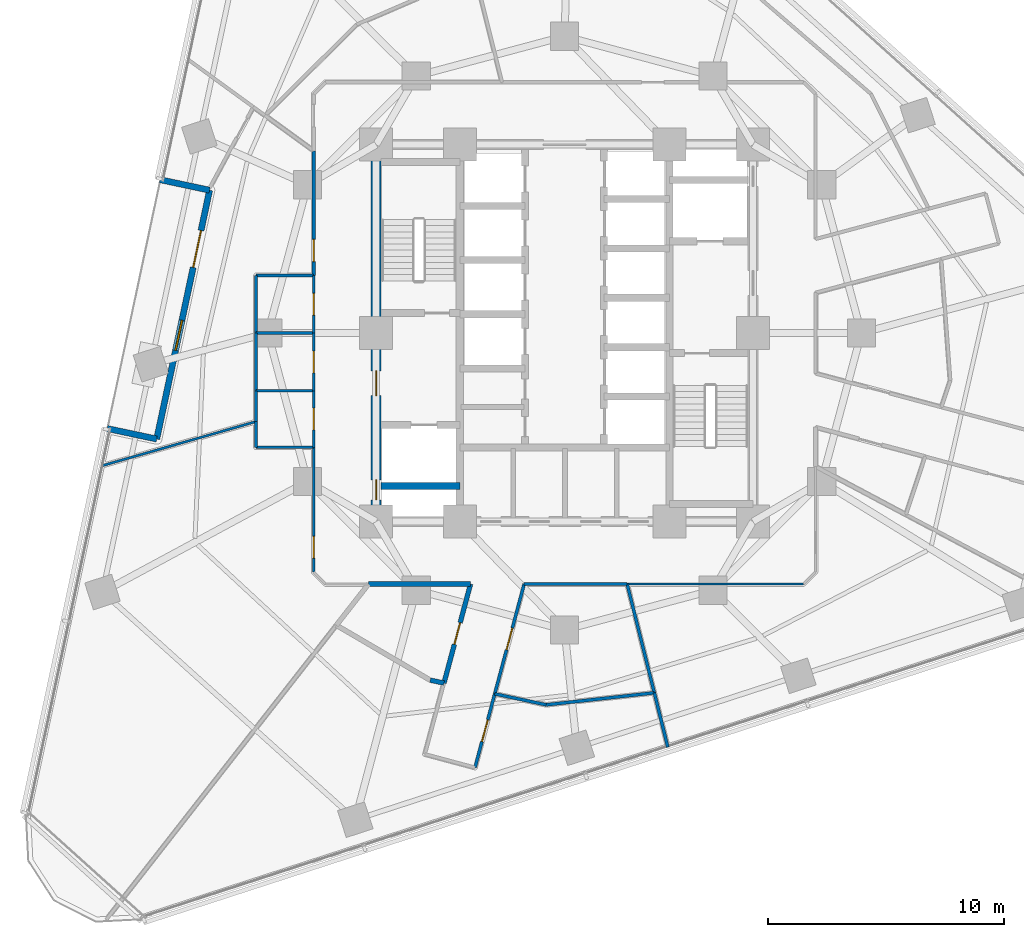
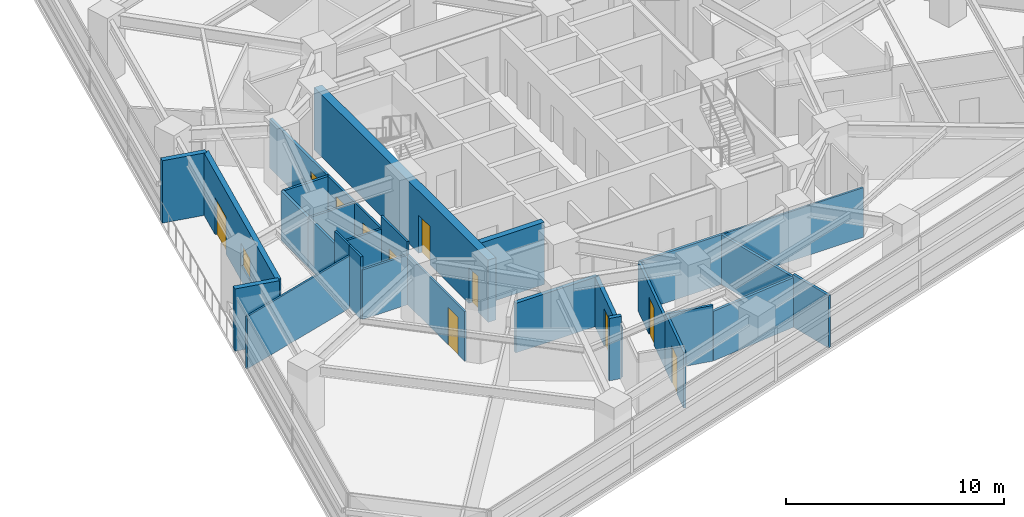
# One storey, part 7 of 14: 30 walls, 11 doors, 1 window, 12 openings.
"""IFC4 building model written with IfcOpenShell, lengths in metres."""

import ifcopenshell
import ifcopenshell.guid

model = None  # the IFC model being written
_history = None  # IfcOwnerHistory: only IFC2X3 demands one
_inside = {}  # id of a spatial element -> (the spatial element, [elements in it])
_under = {}  # id of a project, library or spatial element -> (it, [spatial elements below it])
_declared = {}  # id of a project -> (the project, [libraries it declares])
_typed = {}  # id of a type object -> (the type object, [elements of that type])
_made_of = {}  # id of a material, layer set ... -> (it, [elements and type objects made of it])


def new_model(schema):
    """Start an empty IFC model of exactly this schema.

    Asked for "IFC4X3", IfcOpenShell would pick the latest addendum, in which some entities
    have other attributes; the version numbers below select the first issue.
    IFC2X3 requires an IfcOwnerHistory on every rooted entity: one is made here for all.
    """
    global model, _history
    if schema == "IFC4X3":
        model = ifcopenshell.file(schema_version=(4, 3, 0, 0))
    else:
        model = ifcopenshell.file(schema=schema)
    _inside.clear()
    _under.clear()
    _declared.clear()
    _typed.clear()
    _made_of.clear()
    _history = None
    if model.schema == "IFC2X3":
        org = make("IfcOrganization", Name="unknown")
        user = make(
            "IfcPersonAndOrganization",
            ThePerson=make("IfcPerson", FamilyName="unknown"),
            TheOrganization=org,
        )
        app = make(
            "IfcApplication",
            ApplicationDeveloper=org,
            Version="unknown",
            ApplicationFullName="unknown",
            ApplicationIdentifier="unknown",
        )
        _history = make(
            "IfcOwnerHistory",
            OwningUser=user,
            OwningApplication=app,
            ChangeAction="ADDED",
            CreationDate=0,
        )
    return model


def make(cls, **values):
    """One entity of the class cls with the attributes given. An attribute that is None is left unset."""
    return model.create_entity(
        cls, **{name: value for name, value in values.items() if value is not None}
    )


def rooted(cls, **values):
    """An entity with a GlobalId (a new one), such as an element, a storey or a relation."""
    return make(cls, GlobalId=ifcopenshell.guid.new(), OwnerHistory=_history, **values)


def si_unit(unit_type, name, prefix=None):
    """IfcSIUnit, for example si_unit("LENGTHUNIT", "METRE", prefix="MILLI")."""
    return make("IfcSIUnit", UnitType=unit_type, Prefix=prefix, Name=name)


def assignment(units):
    """IfcUnitAssignment: the units of a project."""
    return None if units is None else make("IfcUnitAssignment", Units=units)


def point(xyz):
    """IfcCartesianPoint."""
    return None if xyz is None else make("IfcCartesianPoint", Coordinates=xyz)


def direction(xyz):
    """IfcDirection."""
    return None if xyz is None else make("IfcDirection", DirectionRatios=xyz)


def frame(location, z_axis=None, x_axis=None):
    """IfcAxis2Placement3D, a coordinate frame: its origin and axes. An axis left out is left unset."""
    return make(
        "IfcAxis2Placement3D",
        Location=point(location),
        Axis=direction(z_axis),
        RefDirection=direction(x_axis),
    )


def frame_2d(location, x_axis=None):
    """IfcAxis2Placement2D, a coordinate frame in the plane: its origin and x axis."""
    return make(
        "IfcAxis2Placement2D", Location=point(location), RefDirection=direction(x_axis)
    )


def origin():
    """The frame at (0, 0, 0) with its axes left unset."""
    return frame((0.0, 0.0, 0.0))


def place(relative_to, where):
    """IfcLocalPlacement: puts the frame where relative to a parent placement (None: the world)."""
    return make(
        "IfcLocalPlacement", PlacementRelTo=relative_to, RelativePlacement=where
    )


def context(
    kind, dimensions, precision=None, world=None, true_north=None, identifier=None
):
    """IfcGeometricRepresentationContext, for example the 3D "Model" context."""
    return make(
        "IfcGeometricRepresentationContext",
        ContextIdentifier=identifier,
        ContextType=kind,
        CoordinateSpaceDimension=dimensions,
        Precision=precision,
        WorldCoordinateSystem=world,
        TrueNorth=true_north,
    )


def subcontext(parent, identifier, kind, view, scale=None):
    """IfcGeometricRepresentationSubContext, for example "Body" below "Model"."""
    return make(
        "IfcGeometricRepresentationSubContext",
        ContextIdentifier=identifier,
        ContextType=kind,
        ParentContext=parent,
        TargetScale=scale,
        TargetView=view,
    )


def project(units=None, contexts=None):
    """IfcProject with its units and contexts."""
    return rooted(
        "IfcProject",
        Name="project",
        RepresentationContexts=contexts,
        UnitsInContext=assignment(units),
    )


def spatial(cls, under=None, at=None, **own):
    """A site, building, storey or space (cls), placed at a placement, below another one or the project."""
    s = rooted(cls, ObjectPlacement=at, **own)
    if under is not None:
        _under.setdefault(under.id(), (under, []))[1].append(s)
    return s


def profile(cls, at=None, kind="AREA", **sizes):
    """A parametric profile (cls). Its sizes go by their IFC names, for example OverallWidth=200.0."""
    return make(cls, ProfileType=kind, Position=at, **sizes)


def rectangle(**sizes):
    """IfcRectangleProfileDef."""
    return profile("IfcRectangleProfileDef", **sizes)


def extrude(swept, where, along, depth):
    """IfcExtrudedAreaSolid: the profile swept, set in the frame where, extruded along a direction by depth."""
    return make(
        "IfcExtrudedAreaSolid",
        SweptArea=swept,
        Position=where,
        ExtrudedDirection=direction(along),
        Depth=depth,
    )


def shape(context_of_items, identifier, shape_type, items):
    """IfcShapeRepresentation: the items that make up one representation, for example the "Body"."""
    return make(
        "IfcShapeRepresentation",
        ContextOfItems=context_of_items,
        RepresentationIdentifier=identifier,
        RepresentationType=shape_type,
        Items=items,
    )


def material(Name=None, Category=None):
    """IfcMaterial."""
    return make("IfcMaterial", Name=Name, Category=Category)


def layer(
    of_material, thickness, ventilated=None, Name=None, Category=None, Priority=None
):
    """IfcMaterialLayer: one layer of a wall or slab, of a material (None: an air gap)."""
    return make(
        "IfcMaterialLayer",
        Material=of_material,
        LayerThickness=thickness,
        IsVentilated=ventilated,
        Name=Name,
        Category=Category,
        Priority=Priority,
    )


def layer_set(layers, Name=None):
    """IfcMaterialLayerSet."""
    return make("IfcMaterialLayerSet", MaterialLayers=layers, LayerSetName=Name)


def made_of(thing, what):
    """Note that an element or type object is made of a material, layer set ...; save() writes the relation."""
    if what is not None:
        _made_of.setdefault(what.id(), (what, []))[1].append(thing)
    return thing


def type_object(cls, material=None, **own):
    """A type object (cls), such as IfcWallType, which elements share."""
    return made_of(rooted(cls, **own), material)


def element(
    cls,
    number,
    at=None,
    inside=None,
    cuts=None,
    type_object=None,
    material=None,
    context=None,
    identifier="Body",
    shape_type=None,
    held_by="IfcProductDefinitionShape",
    body=None,
    shapes=None,
    **own,
):
    """One element of the class cls, such as IfcWall. Its Tag is "e" and its number.

    at: its placement. inside: the storey or other place that contains it. cuts: it is an
    opening in that element (IfcRelVoidsElement). A single representation is given by context,
    identifier, shape_type and body (its items); several are given by shapes. held_by: the class
    of the entity that holds the representations. save() writes the other relations.
    """
    e = rooted(cls, Tag="e%d" % number, ObjectPlacement=at, **own)
    if body is not None:
        shapes = [shape(context, identifier, shape_type, body)]
    if shapes is not None:
        e.Representation = make(held_by, Representations=shapes)
    if inside is not None:
        _inside.setdefault(inside.id(), (inside, []))[1].append(e)
    if cuts is not None:
        rooted(
            "IfcRelVoidsElement", RelatingBuildingElement=cuts, RelatedOpeningElement=e
        )
    if type_object is not None:
        _typed.setdefault(type_object.id(), (type_object, []))[1].append(e)
    return made_of(e, material)


def fill(opening, filler):
    """IfcRelFillsElement: the door or window that sits in an opening."""
    return rooted(
        "IfcRelFillsElement",
        RelatingOpeningElement=opening,
        RelatedBuildingElement=filler,
    )


def aggregate(whole, parts):
    """IfcRelAggregates: a whole, such as a stair, and the parts it consists of."""
    return rooted("IfcRelAggregates", RelatingObject=whole, RelatedObjects=parts)


def save(model, path):
    """Write the relations noted so far, then the file.

    IfcRelAggregates (storeys below a building ...), IfcRelContainedInSpatialStructure (elements
    in a storey), IfcRelDefinesByType, IfcRelAssociatesMaterial and IfcRelDeclares: one each for
    every whole, place, type object, material and project.
    """
    for whole, parts in _under.values():
        aggregate(whole, parts)
    for where, things in _inside.values():
        rooted(
            "IfcRelContainedInSpatialStructure",
            RelatedElements=things,
            RelatingStructure=where,
        )
    for kind, things in _typed.values():
        rooted("IfcRelDefinesByType", RelatedObjects=things, RelatingType=kind)
    for what, things in _made_of.values():
        rooted("IfcRelAssociatesMaterial", RelatedObjects=things, RelatingMaterial=what)
    for by, libraries in _declared.values():
        rooted("IfcRelDeclares", RelatingContext=by, RelatedDefinitions=libraries)
    model.write(path)


model = new_model("IFC4")

# Units and contexts
model_context = context("Model", 3, precision=1e-05, world=origin(), true_north=direction((0.0, 1.0)))
body_context = subcontext(model_context, "Body", "Model", "MODEL_VIEW")
ifc_project = project(units=[si_unit("LENGTHUNIT", "METRE"), si_unit("AREAUNIT", "SQUARE_METRE"), si_unit("VOLUMEUNIT", "CUBIC_METRE"), si_unit("PLANEANGLEUNIT", "RADIAN"), si_unit("MASSUNIT", "GRAM", prefix="KILO")], contexts=[model_context])

# Site, building, storey
site_placement = place(None, origin())
site = spatial("IfcSite", under=ifc_project, at=site_placement, CompositionType="ELEMENT")
building_placement = place(site_placement, origin())
building = spatial("IfcBuilding", under=site, at=building_placement, Name="Terralouvre Media Tower", CompositionType="ELEMENT")
storey_placement = place(building_placement, frame((0.0, 0.0, 112.5)))
storey = spatial("IfcBuildingStorey", under=building, at=storey_placement, Name="L28", CompositionType="ELEMENT", Elevation=112.5)

# Wall
ifc_material_1 = material(Name="Concrete C50/60", Category="concrete")
ifc_layer_1 = layer(ifc_material_1, 0.300048828125, Name="Core Internal Shaft Wall CW-300")
ifc_layer_set_1 = layer_set([ifc_layer_1], Name="Concrete C50/60")
wall_type_1 = type_object("IfcWallType", Name="Core Internal Shaft Wall CW-300", PredefinedType="SHEAR", material=ifc_layer_set_1)
wall_1_placement = place(storey_placement, frame((-7.7900390625, -6.5, 0.0), z_axis=(0.0, 0.0, 1.0), x_axis=(1.0, 0.0, 0.0)))
element("IfcWall", 1, at=wall_1_placement, inside=storey, type_object=wall_type_1, Name="L28 Core Shaft Wall FF1S", PredefinedType="SHEAR", context=body_context, shape_type="SweptSolid", body=[
    extrude(rectangle(XDim=3.340087890625, YDim=0.300048828125, at=frame_2d((1.669921875, 0.0))), origin(), (0.0, 0.0, 1.0), 3.5),
])

# Wall, openings, doors
ifc_material_2 = material(Name="Concrete C60/75", Category="concrete")
ifc_layer_2 = layer(ifc_material_2, 0.419921875, Name="Core Reinforced Concrete Shear Wall CW-420")
ifc_layer_set_2 = layer_set([ifc_layer_2], Name="Concrete C60/75")
wall_type_2 = type_object("IfcWallType", Name="Core Reinforced Concrete Shear Wall CW-420", PredefinedType="SHEAR", material=ifc_layer_set_2)
wall_2_placement = place(storey_placement, frame((-8.0, -8.0, 0.0), z_axis=(0.0, 0.0, 1.0), x_axis=(0.0, 1.0, 0.0)))
wall_2 = element("IfcWall", 2, at=wall_2_placement, inside=storey, type_object=wall_type_2, Name="L28 W Core Shear Wall", PredefinedType="SHEAR", context=body_context, shape_type="SweptSolid", body=[
    extrude(rectangle(XDim=16.0, YDim=0.419921875, at=frame_2d((8.0, 0.0))), origin(), (0.0, 0.0, 1.0), 3.5),
])
opening_1_placement = place(wall_2_placement, frame((0.921630859375, 0.0, 0.0)))
opening_1 = element("IfcOpeningElement", 3, at=opening_1_placement, cuts=wall_2, Name="Opening TD-R1", PredefinedType="OPENING", context=body_context, shape_type="SweptSolid", body=[
    extrude(rectangle(XDim=0.85009765625, YDim=2.02001953125, at=frame_2d((0.425048828125, 1.010009765625))), frame((0.0, 0.219970703125, 0.0), z_axis=(0.0, -1.0, 0.0), x_axis=(1.0, 0.0, 0.0)), (0.0, 0.0, 1.0), 0.43994140625),
])
opening_2_placement = place(wall_2_placement, frame((5.35009765625, 0.0, 0.0)))
opening_2 = element("IfcOpeningElement", 4, at=opening_2_placement, cuts=wall_2, Name="Opening FD-01-105X215", PredefinedType="OPENING", context=body_context, shape_type="SweptSolid", body=[
    extrude(rectangle(XDim=1.050048828125, YDim=2.14990234375, at=frame_2d((0.52490234375, 1.074951171875))), frame((0.0, 0.219970703125, 0.0), z_axis=(0.0, -1.0, 0.0), x_axis=(1.0, 0.0, 0.0)), (0.0, 0.0, 1.0), 0.43994140625),
])
ifc_material_3 = material(Name="Galvanised steel fire-resisting leaf", Category="steel")
door_type_1 = type_object("IfcDoorType", Name="Riser Inspection Access Trapdoor TD-R1", OperationType="NOTDEFINED", PredefinedType="TRAPDOOR", material=ifc_material_3)
door_1_placement = place(opening_1_placement, origin())
door_1 = element("IfcDoor", 5, at=door_1_placement, inside=storey, type_object=door_type_1, Name="L28 Wet Riser Access Trapdoor", OperationType="SINGLE_SWING_LEFT", OverallHeight=2.02001953125, OverallWidth=0.85009765625, PredefinedType="TRAPDOOR", context=body_context, shape_type="SweptSolid", body=[
    extrude(rectangle(XDim=0.85009765625, YDim=2.02001953125, at=frame_2d((0.425048828125, 1.010009765625))), frame((0.0, 0.02490234375, 0.0), z_axis=(0.0, -1.0, 0.0), x_axis=(1.0, 0.0, 0.0)), (0.0, 0.0, 1.0), 0.050048828125),
])
fill(opening_1, door_1)
ifc_material_4 = material(Name="Galvanised steel fire-resisting leaf", Category="steel")
door_type_2 = type_object("IfcDoorType", Name="Stair and Firefighting Lobby Fire Door FD-01 (1050x2150)", OperationType="NOTDEFINED", PredefinedType="DOOR", material=ifc_material_4)
door_2_placement = place(opening_2_placement, origin())
door_2 = element("IfcDoor", 6, at=door_2_placement, inside=storey, type_object=door_type_2, Name="L28 West Firefighting Lobby Entry Door", OperationType="SINGLE_SWING_RIGHT", OverallHeight=2.14990234375, OverallWidth=1.050048828125, PredefinedType="DOOR", context=body_context, shape_type="SweptSolid", body=[
    extrude(rectangle(XDim=1.050048828125, YDim=2.14990234375, at=frame_2d((0.52490234375, 1.074951171875))), frame((0.0, 0.02490234375, 0.0), z_axis=(0.0, -1.0, 0.0), x_axis=(1.0, 0.0, 0.0)), (0.0, 0.0, 1.0), 0.050048828125),
])
fill(opening_2, door_2)

# Wall, opening, door
ifc_material_5 = material(Name="Low-iron laminated double glazing with solar-control coating", Category="glass")
ifc_layer_3 = layer(ifc_material_5, 0.10009765625, Name="Demountable Glazed Office Partition PT-GL100")
ifc_layer_set_3 = layer_set([ifc_layer_3], Name="Low-iron laminated double glazing with solar-control coating")
wall_type_3 = type_object("IfcWallType", Name="Demountable Glazed Office Partition PT-GL100", PredefinedType="MOVABLE", material=ifc_layer_set_3)
wall_3_placement = place(storey_placement, frame((-10.64990234375, -4.85009765625, 0.0), z_axis=(0.0, 0.0, 1.0), x_axis=(0.0, -1.0, 0.0)))
wall_3 = element("IfcWall", 7, at=wall_3_placement, inside=storey, type_object=wall_type_3, Name="L28 Interior Partition 025", PredefinedType="MOVABLE", context=body_context, shape_type="SweptSolid", body=[
    extrude(rectangle(XDim=5.2998046875, YDim=0.10009765625, at=frame_2d((2.64990234375, 0.0))), origin(), (0.0, 0.0, 1.0), 2.784912109375),
])
opening_3_placement = place(wall_3_placement, frame((3.780029296875, 0.0, 0.0)))
opening_3 = element("IfcOpeningElement", 8, at=opening_3_placement, cuts=wall_3, Name="Opening ID-03-92X210", PredefinedType="OPENING", context=body_context, shape_type="SweptSolid", body=[
    extrude(rectangle(XDim=0.919921875, YDim=2.10009765625, at=frame_2d((0.4599609375, 1.050048828125))), frame((0.0, 0.06005859375, 0.0), z_axis=(0.0, -1.0, 0.0), x_axis=(1.0, 0.0, 0.0)), (0.0, 0.0, 1.0), 0.1201171875),
])
ifc_material_6 = material(Name="Engineered hardwood acoustic timber leaf", Category="wood")
door_type_3 = type_object("IfcDoorType", Name="Accessible Restroom and Suite Door ID-03 (920x2100)", OperationType="NOTDEFINED", PredefinedType="DOOR", material=ifc_material_6)
door_3_placement = place(opening_3_placement, origin())
door_3 = element("IfcDoor", 9, at=door_3_placement, inside=storey, type_object=door_type_3, Name="L28 Broadcast Standards Conference Room 8 Door", OperationType="SINGLE_SWING_LEFT", OverallHeight=2.10009765625, OverallWidth=0.919921875, PredefinedType="DOOR", context=body_context, shape_type="SweptSolid", body=[
    extrude(rectangle(XDim=0.919921875, YDim=2.10009765625, at=frame_2d((0.4599609375, 1.050048828125))), frame((0.0, 0.02490234375, 0.0), z_axis=(0.0, -1.0, 0.0), x_axis=(1.0, 0.0, 0.0)), (0.0, 0.0, 1.0), 0.050048828125),
])
fill(opening_3, door_3)

# Walls
wall_4_placement = place(storey_placement, frame((2.655029296875, -10.64990234375, 0.0), z_axis=(0.0, 0.0, 1.0), x_axis=(1.0, 0.0, 0.0)))
element("IfcWall", 10, at=wall_4_placement, inside=storey, type_object=wall_type_3, Name="L28 Interior Partition 028", PredefinedType="MOVABLE", context=body_context, shape_type="SweptSolid", body=[
    extrude(rectangle(XDim=7.494873046875, YDim=0.10009765625, at=frame_2d((3.74755859375, 0.0))), origin(), (0.0, 0.0, 1.0), 2.784912109375),
])
wall_5_placement = place(storey_placement, frame((-13.10009765625, -3.756103515625, 0.0), z_axis=(0.0, 0.0, 1.0), x_axis=(-0.961255453737, -0.275659124029, 0.0)))
element("IfcWall", 11, at=wall_5_placement, inside=storey, type_object=wall_type_3, Name="L28 Interior Partition 062", PredefinedType="MOVABLE", context=body_context, shape_type="SweptSolid", body=[
    extrude(rectangle(XDim=6.83984375, YDim=0.10009765625, at=frame_2d((3.419921875, 0.0))), origin(), (0.0, 0.0, 1.0), 2.93505859375),
])
ifc_material_7 = material(Name="Fire-rated gypsum board drywall partition")
ifc_layer_4 = layer(ifc_material_7, 0.199951171875, Name="Fire-Rated Shaft and Lobby Partition FW-200")
ifc_layer_set_4 = layer_set([ifc_layer_4], Name="Fire-rated gypsum board drywall partition")
wall_type_4 = type_object("IfcWallType", Name="Fire-Rated Shaft and Lobby Partition FW-200", PredefinedType="SOLIDWALL", material=ifc_layer_set_4)
wall_6_placement = place(storey_placement, frame((-8.321044921875, -10.64990234375, 0.0), z_axis=(0.0, 0.0, 1.0), x_axis=(1.0, 0.0, 0.0)))
element("IfcWall", 12, at=wall_6_placement, inside=storey, type_object=wall_type_4, Name="L28 Interior Partition 014", PredefinedType="SOLIDWALL", context=body_context, shape_type="SweptSolid", body=[
    extrude(rectangle(XDim=4.3291015625, YDim=0.199951171875, at=frame_2d((2.16455078125, 0.0))), origin(), (0.0, 0.0, 1.0), 2.784912109375),
])

# Wall, opening, door
wall_7_placement = place(storey_placement, frame((-3.991943359375, -10.64990234375, 0.0), z_axis=(0.0, 0.0, 1.0), x_axis=(-0.258956433159, -0.965889002798, 0.0)))
wall_7 = element("IfcWall", 13, at=wall_7_placement, inside=storey, type_object=wall_type_4, Name="L28 Interior Partition 015", PredefinedType="SOLIDWALL", context=body_context, shape_type="SweptSolid", body=[
    extrude(rectangle(XDim=4.356689453125, YDim=0.199951171875, at=frame_2d((2.17822265625, 0.0))), origin(), (0.0, 0.0, 1.0), 2.784912109375),
])
opening_4_placement = place(wall_7_placement, frame((1.703369140625, 0.0, 0.0)))
opening_4 = element("IfcOpeningElement", 14, at=opening_4_placement, cuts=wall_7, Name="Opening FD-02-95X210", PredefinedType="OPENING", context=body_context, shape_type="SweptSolid", body=[
    extrude(rectangle(XDim=0.949951171875, YDim=2.10009765625, at=frame_2d((0.47509765625, 1.050048828125))), frame((0.0, 0.10986328125, 0.0), z_axis=(0.0, -1.0, 0.0), x_axis=(1.0, 0.0, 0.0)), (0.0, 0.0, 1.0), 0.219970703125),
])
ifc_material_8 = material(Name="Galvanised steel fire-resisting leaf", Category="steel")
door_type_4 = type_object("IfcDoorType", Name="Plant and Riser Fire Door FD-02 (950x2100)", OperationType="NOTDEFINED", PredefinedType="DOOR", material=ifc_material_8)
door_4_placement = place(opening_4_placement, origin())
door_4 = element("IfcDoor", 15, at=door_4_placement, inside=storey, type_object=door_type_4, Name="L28 Encrypted Comms Server Room 4 Door", OperationType="SINGLE_SWING_LEFT", OverallHeight=2.10009765625, OverallWidth=0.949951171875, PredefinedType="DOOR", context=body_context, shape_type="SweptSolid", body=[
    extrude(rectangle(XDim=0.949951171875, YDim=2.10009765625, at=frame_2d((0.47509765625, 1.050048828125))), frame((0.0, 0.02490234375, 0.0), z_axis=(0.0, -1.0, 0.0), x_axis=(1.0, 0.0, 0.0)), (0.0, 0.0, 1.0), 0.050048828125),
])
fill(opening_4, door_4)

# Wall
wall_8_placement = place(storey_placement, frame((-5.705078125, -14.73388671875, 0.0), z_axis=(0.0, 0.0, 1.0), x_axis=(0.978254211939, -0.207409490678, 0.0)))
element("IfcWall", 16, at=wall_8_placement, inside=storey, type_object=wall_type_4, Name="L28 Interior Partition 048", PredefinedType="SOLIDWALL", context=body_context, shape_type="SweptSolid", body=[
    extrude(rectangle(XDim=0.597900390625, YDim=0.199951171875, at=frame_2d((0.298828125, 0.0))), origin(), (0.0, 0.0, 1.0), 3.5),
])

# Wall, opening, door
ifc_material_9 = material(Name="Fire-rated gypsum board drywall partition")
ifc_layer_5 = layer(ifc_material_9, 0.135009765625, Name="Newsroom Acoustic Partition PT-135")
ifc_layer_set_5 = layer_set([ifc_layer_5], Name="Fire-rated gypsum board drywall partition")
wall_type_5 = type_object("IfcWallType", Name="Newsroom Acoustic Partition PT-135", PredefinedType="PARTITIONING", material=ifc_layer_set_5)
wall_9_placement = place(storey_placement, frame((-3.802978515625, -18.444091796875, 0.0), z_axis=(0.0, 0.0, 1.0), x_axis=(0.258732316933, 0.965949060859, 0.0)))
wall_9 = element("IfcWall", 17, at=wall_9_placement, inside=storey, type_object=wall_type_5, Name="L28 Interior Partition 018", PredefinedType="PARTITIONING", context=body_context, shape_type="SweptSolid", body=[
    extrude(rectangle(XDim=3.238525390625, YDim=0.135009765625, at=frame_2d((1.619140625, 0.0))), origin(), (0.0, 0.0, 1.0), 3.125),
])
opening_5_placement = place(wall_9_placement, frame((1.144287109375, 0.0, 0.0)))
opening_5 = element("IfcOpeningElement", 18, at=opening_5_placement, cuts=wall_9, Name="Opening ID-02-95X210", PredefinedType="OPENING", context=body_context, shape_type="SweptSolid", body=[
    extrude(rectangle(XDim=0.949951171875, YDim=2.10009765625, at=frame_2d((0.47509765625, 1.050048828125))), frame((0.0, 0.077392578125, 0.0), z_axis=(0.0, -1.0, 0.0), x_axis=(1.0, 0.0, 0.0)), (0.0, 0.0, 1.0), 0.155029296875),
])
ifc_material_10 = material(Name="Engineered hardwood acoustic timber leaf", Category="wood")
door_type_5 = type_object("IfcDoorType", Name="Office and Meeting Room Door ID-02 (950x2100)", OperationType="NOTDEFINED", PredefinedType="DOOR", material=ifc_material_10)
door_5_placement = place(opening_5_placement, origin())
door_5 = element("IfcDoor", 19, at=door_5_placement, inside=storey, type_object=door_type_5, Name="L28 Company Secretary Office 5 Door", OperationType="SINGLE_SWING_RIGHT", OverallHeight=2.10009765625, OverallWidth=0.949951171875, PredefinedType="DOOR", context=body_context, shape_type="SweptSolid", body=[
    extrude(rectangle(XDim=0.949951171875, YDim=2.10009765625, at=frame_2d((0.47509765625, 1.050048828125))), frame((0.0, 0.02490234375, 0.0), z_axis=(0.0, -1.0, 0.0), x_axis=(1.0, 0.0, 0.0)), (0.0, 0.0, 1.0), 0.050048828125),
])
fill(opening_5, door_5)

wall_10_placement = place(storey_placement, frame((-2.965087890625, -15.31591796875, 0.0), z_axis=(0.0, 0.0, 1.0), x_axis=(0.258769769022, 0.965939028428, 0.0)))
wall_10 = element("IfcWall", 20, at=wall_10_placement, inside=storey, type_object=wall_type_5, Name="L28 Interior Partition 021", PredefinedType="PARTITIONING", context=body_context, shape_type="SweptSolid", body=[
    extrude(rectangle(XDim=4.83056640625, YDim=0.135009765625, at=frame_2d((2.415283203125, 0.0))), origin(), (0.0, 0.0, 1.0), 2.784912109375),
])
opening_6_placement = place(wall_10_placement, frame((1.940185546875, 0.0, 0.0)))
opening_6 = element("IfcOpeningElement", 21, at=opening_6_placement, cuts=wall_10, Name="Opening ID-02-95X210", PredefinedType="OPENING", context=body_context, shape_type="SweptSolid", body=[
    extrude(rectangle(XDim=0.949951171875, YDim=2.10009765625, at=frame_2d((0.47509765625, 1.050048828125))), frame((0.0, 0.077392578125, 0.0), z_axis=(0.0, -1.0, 0.0), x_axis=(1.0, 0.0, 0.0)), (0.0, 0.0, 1.0), 0.155029296875),
])
door_6_placement = place(opening_6_placement, origin())
door_6 = element("IfcDoor", 22, at=door_6_placement, inside=storey, type_object=door_type_5, Name="L28 Editorial Collaborative Open Office 7 Door", OperationType="SINGLE_SWING_RIGHT", OverallHeight=2.10009765625, OverallWidth=0.949951171875, PredefinedType="DOOR", context=body_context, shape_type="SweptSolid", body=[
    extrude(rectangle(XDim=0.949951171875, YDim=2.10009765625, at=frame_2d((0.47509765625, 1.050048828125))), frame((0.0, 0.02490234375, 0.0), z_axis=(0.0, -1.0, 0.0), x_axis=(1.0, 0.0, 0.0)), (0.0, 0.0, 1.0), 0.050048828125),
])
fill(opening_6, door_6)

# Wall
wall_11_placement = place(storey_placement, frame((-1.715087890625, -10.64990234375, 0.0), z_axis=(0.0, 0.0, 1.0), x_axis=(1.0, 0.0, 0.0)))
element("IfcWall", 23, at=wall_11_placement, inside=storey, type_object=wall_type_5, Name="L28 Interior Partition 022", PredefinedType="PARTITIONING", context=body_context, shape_type="SweptSolid", body=[
    extrude(rectangle(XDim=4.3701171875, YDim=0.135009765625, at=frame_2d((2.18505859375, 0.0))), origin(), (0.0, 0.0, 1.0), 2.784912109375),
])

# Wall, opening, door
wall_12_placement = place(storey_placement, frame((-10.64990234375, 7.738037109375, 0.0), z_axis=(0.0, 0.0, 1.0), x_axis=(0.0, -1.0, 0.0)))
wall_12 = element("IfcWall", 24, at=wall_12_placement, inside=storey, type_object=wall_type_5, Name="L28 Interior Partition 034", PredefinedType="PARTITIONING", context=body_context, shape_type="SweptSolid", body=[
    extrude(rectangle(XDim=5.2880859375, YDim=0.135009765625, at=frame_2d((2.64404296875, 0.0))), origin(), (0.0, 0.0, 1.0), 2.784912109375),
])
opening_7_placement = place(wall_12_placement, frame((3.75537109375, 0.0, 0.0)))
opening_7 = element("IfcOpeningElement", 25, at=opening_7_placement, cuts=wall_12, Name="Opening ID-02-95X210", PredefinedType="OPENING", context=body_context, shape_type="SweptSolid", body=[
    extrude(rectangle(XDim=0.949951171875, YDim=2.10009765625, at=frame_2d((0.47509765625, 1.050048828125))), frame((0.0, 0.077392578125, 0.0), z_axis=(0.0, -1.0, 0.0), x_axis=(1.0, 0.0, 0.0)), (0.0, 0.0, 1.0), 0.155029296875),
])
door_7_placement = place(opening_7_placement, origin())
door_7 = element("IfcDoor", 26, at=door_7_placement, inside=storey, type_object=door_type_5, Name="L28 Executive Dining Room 13 Door", OperationType="SINGLE_SWING_RIGHT", OverallHeight=2.10009765625, OverallWidth=0.949951171875, PredefinedType="DOOR", context=body_context, shape_type="SweptSolid", body=[
    extrude(rectangle(XDim=0.949951171875, YDim=2.10009765625, at=frame_2d((0.47509765625, 1.050048828125))), frame((0.0, 0.02490234375, 0.0), z_axis=(0.0, -1.0, 0.0), x_axis=(1.0, 0.0, 0.0)), (0.0, 0.0, 1.0), 0.050048828125),
])
fill(opening_7, door_7)

# Walls
wall_13_placement = place(storey_placement, frame((3.80810546875, -15.27099609375, 0.0), z_axis=(0.0, 0.0, 1.0), x_axis=(-0.993881155161, -0.110454739221, 0.0)))
element("IfcWall", 27, at=wall_13_placement, inside=storey, type_object=wall_type_5, Name="L28 Interior Partition 050", PredefinedType="PARTITIONING", context=body_context, shape_type="SweptSolid", body=[
    extrude(rectangle(XDim=4.617431640625, YDim=0.135009765625, at=frame_2d((2.30859375, 0.0))), origin(), (0.0, 0.0, 1.0), 2.784912109375),
])
wall_14_placement = place(storey_placement, frame((-0.781005859375, -15.781005859375, 0.0), z_axis=(0.0, 0.0, 1.0), x_axis=(-0.978070402464, 0.20827454915, 0.0)))
element("IfcWall", 28, at=wall_14_placement, inside=storey, type_object=wall_type_5, Name="L28 Interior Partition 051", PredefinedType="PARTITIONING", context=body_context, shape_type="SweptSolid", body=[
    extrude(rectangle(XDim=2.233154296875, YDim=0.135009765625, at=frame_2d((1.11669921875, 0.0))), origin(), (0.0, 0.0, 1.0), 3.125),
])
wall_15_placement = place(storey_placement, frame((4.3828125, -17.578125, 0.0), z_axis=(0.0, 0.0, 1.0), x_axis=(-0.241714079876, 0.970347516918, 0.0)))
element("IfcWall", 29, at=wall_15_placement, inside=storey, type_object=wall_type_5, Name="L28 Interior Partition 053", PredefinedType="PARTITIONING", context=body_context, shape_type="SweptSolid", body=[
    extrude(rectangle(XDim=2.377685546875, YDim=0.135009765625, at=frame_2d((1.18896484375, 0.0))), origin(), (0.0, 0.0, 1.0), 2.93505859375),
])
wall_16_placement = place(storey_placement, frame((3.80810546875, -15.27099609375, 0.0), z_axis=(0.0, 0.0, 1.0), x_axis=(-0.242101397643, 0.970250953753, 0.0)))
element("IfcWall", 30, at=wall_16_placement, inside=storey, type_object=wall_type_5, Name="L28 Interior Partition 055", PredefinedType="PARTITIONING", context=body_context, shape_type="SweptSolid", body=[
    extrude(rectangle(XDim=4.7626953125, YDim=0.135009765625, at=frame_2d((2.38134765625, 0.0))), origin(), (0.0, 0.0, 1.0), 2.784912109375),
])
wall_17_placement = place(storey_placement, frame((-13.10009765625, 0.0, 0.0), z_axis=(0.0, 0.0, 1.0), x_axis=(0.0, 1.0, 0.0)))
element("IfcWall", 31, at=wall_17_placement, inside=storey, type_object=wall_type_5, Name="L28 Interior Partition 069", PredefinedType="PARTITIONING", context=body_context, shape_type="SweptSolid", body=[
    extrude(rectangle(XDim=2.449951171875, YDim=0.135009765625, at=frame_2d((1.22509765625, 0.0))), origin(), (0.0, 0.0, 1.0), 2.784912109375),
])
wall_18_placement = place(storey_placement, frame((-13.10009765625, 2.449951171875, 0.0), z_axis=(0.0, 0.0, 1.0), x_axis=(1.0, 0.0, 0.0)))
element("IfcWall", 32, at=wall_18_placement, inside=storey, type_object=wall_type_5, Name="L28 Interior Partition 070", PredefinedType="PARTITIONING", context=body_context, shape_type="SweptSolid", body=[
    extrude(rectangle(XDim=2.4501953125, YDim=0.135009765625, at=frame_2d((1.22509765625, 0.0))), origin(), (0.0, 0.0, 1.0), 2.784912109375),
])

# Wall, openings, window, door
ifc_material_11 = material(Name="Kiln-fired architectural terracotta rainscreen cladding", Category="masonry")
ifc_layer_6 = layer(ifc_material_11, 0.260009765625, Name="Recessed Sky-Garden Acoustic Wall EW-SG260")
ifc_layer_set_6 = layer_set([ifc_layer_6], Name="Kiln-fired architectural terracotta rainscreen cladding")
wall_type_6 = type_object("IfcWallType", Name="Recessed Sky-Garden Acoustic Wall EW-SG260", PredefinedType="SOLIDWALL", material=ifc_layer_set_6)
wall_19_placement = place(storey_placement, frame((-15.0703125, 6.06591796875, 0.0), z_axis=(0.0, 0.0, 1.0), x_axis=(-0.207900120229, -0.978150060067, 0.0)))
wall_19 = element("IfcWall", 33, at=wall_19_placement, inside=storey, type_object=wall_type_6, Name="L28 SG Recessed Loggia Back Wall", PredefinedType="SOLIDWALL", context=body_context, shape_type="SweptSolid", body=[
    extrude(rectangle(XDim=10.80029296875, YDim=0.260009765625, at=frame_2d((5.400146484375, 0.0))), origin(), (0.0, 0.0, 1.0), 3.5),
])
opening_8_placement = place(wall_19_placement, frame((1.75, 0.0, 0.0)))
opening_8 = element("IfcOpeningElement", 34, at=opening_8_placement, cuts=wall_19, Name="Opening TD-01", PredefinedType="OPENING", context=body_context, shape_type="SweptSolid", body=[
    extrude(rectangle(XDim=1.60009765625, YDim=2.080078125, at=frame_2d((0.800048828125, 1.0400390625))), frame((0.0, 0.139892578125, 0.0), z_axis=(0.0, -1.0, 0.0), x_axis=(1.0, 0.0, 0.0)), (0.0, 0.0, 1.0), 0.280029296875),
])
opening_9_placement = place(wall_19_placement, frame((5.64990234375, 0.0, 0.85009765625)))
opening_9 = element("IfcOpeningElement", 35, at=opening_9_placement, cuts=wall_19, Name="Opening W-03", PredefinedType="OPENING", context=body_context, shape_type="SweptSolid", body=[
    extrude(rectangle(XDim=1.300048828125, YDim=1.25, at=frame_2d((0.64990234375, 0.625))), frame((0.0, 0.139892578125, 0.0), z_axis=(0.0, -1.0, 0.0), x_axis=(1.0, 0.0, 0.0)), (0.0, 0.0, 1.0), 0.280029296875),
])
ifc_material_12 = material(Name="Low-iron laminated double glazing with solar-control coating", Category="glass")
window_type = type_object("IfcWindowType", Name="Sky-Garden Loggia Window W-03", PartitioningType="SINGLE_PANEL", PredefinedType="WINDOW", material=ifc_material_12)
window_placement = place(opening_9_placement, origin())
window = element("IfcWindow", 36, at=window_placement, inside=storey, type_object=window_type, Name="L28 Pocket Loggia Window 1", OverallHeight=1.25, OverallWidth=1.300048828125, PartitioningType="SINGLE_PANEL", PredefinedType="WINDOW", context=body_context, shape_type="SweptSolid", body=[
    extrude(rectangle(XDim=1.300048828125, YDim=1.25, at=frame_2d((0.64990234375, 0.625))), frame((0.0, 0.030029296875, 0.0), z_axis=(0.0, -1.0, 0.0), x_axis=(1.0, 0.0, 0.0)), (0.0, 0.0, 1.0), 0.06005859375),
])
fill(opening_9, window)
ifc_material_13 = material(Name="Anodised extruded aluminium 6063-T6", Category="aluminium")
door_type_6 = type_object("IfcDoorType", Name="Sky-Garden Terrace Double Door TD-01", OperationType="DOUBLE_DOOR_SLIDING", PredefinedType="DOOR", material=ifc_material_13)
door_8_placement = place(opening_8_placement, frame((1.60009765625, 0.0, 0.0), z_axis=(0.0, 0.0, 1.0), x_axis=(-1.0, 0.0, 0.0)))
door_8 = element("IfcDoor", 37, at=door_8_placement, inside=storey, type_object=door_type_6, Name="L28 Sky-Garden Terrace Door", OperationType="DOUBLE_DOOR_SLIDING", OverallHeight=2.080078125, OverallWidth=1.60009765625, PredefinedType="DOOR", context=body_context, shape_type="SweptSolid", body=[
    extrude(rectangle(XDim=1.60009765625, YDim=2.080078125, at=frame_2d((0.800048828125, 1.0400390625))), frame((0.0, 0.02490234375, 0.0), z_axis=(0.0, -1.0, 0.0), x_axis=(1.0, 0.0, 0.0)), (0.0, 0.0, 1.0), 0.050048828125),
])
fill(opening_8, door_8)

# Walls
for number, where, z_axis, x_axis, name in (
    (38, (-17.17333984375, 6.512939453125, 0.0), (0.0, 0.0, 1.0), (0.978146728319, -0.207915795165, 0.0), "L28 SG Pocket Left Cheek Wall"),
    (39, (-17.315673828125, -4.498291015625, 0.0), (0.0, 0.0, 1.0), (-0.978146728319, 0.207915795165, 0.0), "L28 SG Pocket Right Cheek Wall"),
):
    element("IfcWall", number, at=place(storey_placement, frame(where, z_axis=z_axis, x_axis=x_axis)), inside=storey, type_object=wall_type_6, Name=name, PredefinedType="SOLIDWALL", context=body_context, shape_type="SweptSolid", body=[
        extrude(rectangle(XDim=2.14990234375, YDim=0.260009765625, at=frame_2d((1.074951171875, 0.0))), origin(), (0.0, 0.0, 1.0), 3.5),
    ])

# Wall, opening, door
ifc_material_14 = material(Name="Fire-rated gypsum board drywall partition")
ifc_layer_7 = layer(ifc_material_14, 0.114990234375, Name="Restroom and Pantry Partition PT-115")
ifc_layer_set_7 = layer_set([ifc_layer_7], Name="Fire-rated gypsum board drywall partition")
wall_type_7 = type_object("IfcWallType", Name="Restroom and Pantry Partition PT-115", PredefinedType="PARTITIONING", material=ifc_layer_set_7)
wall_20_placement = place(storey_placement, frame((-10.64990234375, 0.0, 0.0), z_axis=(0.0, 0.0, 1.0), x_axis=(0.0, -1.0, 0.0)))
wall_20 = element("IfcWall", 40, at=wall_20_placement, inside=storey, type_object=wall_type_7, Name="L28 Interior Partition 023", PredefinedType="PARTITIONING", context=body_context, shape_type="SweptSolid", body=[
    extrude(rectangle(XDim=2.449951171875, YDim=0.114990234375, at=frame_2d((1.22509765625, 0.0))), origin(), (0.0, 0.0, 1.0), 2.784912109375),
])
opening_10_placement = place(wall_20_placement, frame((0.764892578125, 0.0, 0.0)))
opening_10 = element("IfcOpeningElement", 41, at=opening_10_placement, cuts=wall_20, Name="Opening ID-03-92X210", PredefinedType="OPENING", context=body_context, shape_type="SweptSolid", body=[
    extrude(rectangle(XDim=0.919921875, YDim=2.10009765625, at=frame_2d((0.4599609375, 1.050048828125))), frame((0.0, 0.0673828125, 0.0), z_axis=(0.0, -1.0, 0.0), x_axis=(1.0, 0.0, 0.0)), (0.0, 0.0, 1.0), 0.135009765625),
])
door_9_placement = place(opening_10_placement, origin())
door_9 = element("IfcDoor", 42, at=door_9_placement, inside=storey, type_object=door_type_3, Name="L28 Female Restroom WC Door", OperationType="SINGLE_SWING_LEFT", OverallHeight=2.10009765625, OverallWidth=0.919921875, PredefinedType="DOOR", context=body_context, shape_type="SweptSolid", body=[
    extrude(rectangle(XDim=0.919921875, YDim=2.10009765625, at=frame_2d((0.4599609375, 1.050048828125))), frame((0.0, 0.02490234375, 0.0), z_axis=(0.0, -1.0, 0.0), x_axis=(1.0, 0.0, 0.0)), (0.0, 0.0, 1.0), 0.050048828125),
])
fill(opening_10, door_9)

wall_21_placement = place(storey_placement, frame((-10.64990234375, -2.449951171875, 0.0), z_axis=(0.0, 0.0, 1.0), x_axis=(0.0, -1.0, 0.0)))
wall_21 = element("IfcWall", 43, at=wall_21_placement, inside=storey, type_object=wall_type_7, Name="L28 Interior Partition 024", PredefinedType="PARTITIONING", context=body_context, shape_type="SweptSolid", body=[
    extrude(rectangle(XDim=2.400146484375, YDim=0.114990234375, at=frame_2d((1.2001953125, 0.0))), origin(), (0.0, 0.0, 1.0), 3.5),
])
opening_11_placement = place(wall_21_placement, frame((0.739990234375, 0.0, 0.0)))
opening_11 = element("IfcOpeningElement", 44, at=opening_11_placement, cuts=wall_21, Name="Opening ID-03-92X210", PredefinedType="OPENING", context=body_context, shape_type="SweptSolid", body=[
    extrude(rectangle(XDim=0.919921875, YDim=2.10009765625, at=frame_2d((0.4599609375, 1.050048828125))), frame((0.0, 0.0673828125, 0.0), z_axis=(0.0, -1.0, 0.0), x_axis=(1.0, 0.0, 0.0)), (0.0, 0.0, 1.0), 0.135009765625),
])
door_10_placement = place(opening_11_placement, origin())
door_10 = element("IfcDoor", 45, at=door_10_placement, inside=storey, type_object=door_type_3, Name="L28 Male Restroom WC Door", OperationType="SINGLE_SWING_RIGHT", OverallHeight=2.10009765625, OverallWidth=0.919921875, PredefinedType="DOOR", context=body_context, shape_type="SweptSolid", body=[
    extrude(rectangle(XDim=0.919921875, YDim=2.10009765625, at=frame_2d((0.4599609375, 1.050048828125))), frame((0.0, 0.02490234375, 0.0), z_axis=(0.0, -1.0, 0.0), x_axis=(1.0, 0.0, 0.0)), (0.0, 0.0, 1.0), 0.050048828125),
])
fill(opening_11, door_10)

wall_22_placement = place(storey_placement, frame((-10.64990234375, 2.449951171875, 0.0), z_axis=(0.0, 0.0, 1.0), x_axis=(0.0, -1.0, 0.0)))
wall_22 = element("IfcWall", 46, at=wall_22_placement, inside=storey, type_object=wall_type_7, Name="L28 Interior Partition 035", PredefinedType="PARTITIONING", context=body_context, shape_type="SweptSolid", body=[
    extrude(rectangle(XDim=2.449951171875, YDim=0.114990234375, at=frame_2d((1.22509765625, 0.0))), origin(), (0.0, 0.0, 1.0), 2.784912109375),
])
opening_12_placement = place(wall_22_placement, frame((0.764892578125, 0.0, 0.0)))
opening_12 = element("IfcOpeningElement", 47, at=opening_12_placement, cuts=wall_22, Name="Opening ID-03-92X210", PredefinedType="OPENING", context=body_context, shape_type="SweptSolid", body=[
    extrude(rectangle(XDim=0.919921875, YDim=2.10009765625, at=frame_2d((0.4599609375, 1.050048828125))), frame((0.0, 0.0673828125, 0.0), z_axis=(0.0, -1.0, 0.0), x_axis=(1.0, 0.0, 0.0)), (0.0, 0.0, 1.0), 0.135009765625),
])
door_11_placement = place(opening_12_placement, origin())
door_11 = element("IfcDoor", 48, at=door_11_placement, inside=storey, type_object=door_type_3, Name="L28 Accessible Unisex WC Door", OperationType="SINGLE_SWING_LEFT", OverallHeight=2.10009765625, OverallWidth=0.919921875, PredefinedType="DOOR", context=body_context, shape_type="SweptSolid", body=[
    extrude(rectangle(XDim=0.919921875, YDim=2.10009765625, at=frame_2d((0.4599609375, 1.050048828125))), frame((0.0, 0.02490234375, 0.0), z_axis=(0.0, -1.0, 0.0), x_axis=(1.0, 0.0, 0.0)), (0.0, 0.0, 1.0), 0.050048828125),
])
fill(opening_12, door_11)

# Walls
wall_23_placement = place(storey_placement, frame((-13.10009765625, -2.449951171875, 0.0), z_axis=(0.0, 0.0, 1.0), x_axis=(1.0, 0.0, 0.0)))
element("IfcWall", 49, at=wall_23_placement, inside=storey, type_object=wall_type_7, Name="L28 Interior Partition 056", PredefinedType="PARTITIONING", context=body_context, shape_type="SweptSolid", body=[
    extrude(rectangle(XDim=2.4501953125, YDim=0.114990234375, at=frame_2d((1.22509765625, 0.0))), origin(), (0.0, 0.0, 1.0), 2.784912109375),
])
wall_24_placement = place(storey_placement, frame((-13.10009765625, 0.0, 0.0), z_axis=(0.0, 0.0, 1.0), x_axis=(0.0, -1.0, 0.0)))
element("IfcWall", 50, at=wall_24_placement, inside=storey, type_object=wall_type_7, Name="L28 Interior Partition 057", PredefinedType="PARTITIONING", context=body_context, shape_type="SweptSolid", body=[
    extrude(rectangle(XDim=2.449951171875, YDim=0.114990234375, at=frame_2d((1.22509765625, 0.0))), origin(), (0.0, 0.0, 1.0), 2.784912109375),
])
wall_25_placement = place(storey_placement, frame((-10.64990234375, 0.0, 0.0), z_axis=(0.0, 0.0, 1.0), x_axis=(-1.0, 0.0, 0.0)))
element("IfcWall", 51, at=wall_25_placement, inside=storey, type_object=wall_type_7, Name="L28 Interior Partition 058", PredefinedType="PARTITIONING", context=body_context, shape_type="SweptSolid", body=[
    extrude(rectangle(XDim=2.4501953125, YDim=0.114990234375, at=frame_2d((1.22509765625, 0.0))), origin(), (0.0, 0.0, 1.0), 2.784912109375),
])
wall_26_placement = place(storey_placement, frame((-13.10009765625, -3.756103515625, 0.0), z_axis=(0.0, 0.0, 1.0), x_axis=(0.0, -1.0, 0.0)))
element("IfcWall", 52, at=wall_26_placement, inside=storey, type_object=wall_type_7, Name="L28 Interior Partition 059", PredefinedType="PARTITIONING", context=body_context, shape_type="SweptSolid", body=[
    extrude(rectangle(XDim=1.093994140625, YDim=0.114990234375, at=frame_2d((0.546875, 0.0))), origin(), (0.0, 0.0, 1.0), 3.5),
])
wall_27_placement = place(storey_placement, frame((-13.10009765625, -4.85009765625, 0.0), z_axis=(0.0, 0.0, 1.0), x_axis=(1.0, 0.0, 0.0)))
element("IfcWall", 53, at=wall_27_placement, inside=storey, type_object=wall_type_7, Name="L28 Interior Partition 060", PredefinedType="PARTITIONING", context=body_context, shape_type="SweptSolid", body=[
    extrude(rectangle(XDim=2.4501953125, YDim=0.114990234375, at=frame_2d((1.22509765625, 0.0))), origin(), (0.0, 0.0, 1.0), 2.784912109375),
])
wall_28_placement = place(storey_placement, frame((-13.10009765625, -2.449951171875, 0.0), z_axis=(0.0, 0.0, 1.0), x_axis=(0.0, -1.0, 0.0)))
element("IfcWall", 54, at=wall_28_placement, inside=storey, type_object=wall_type_7, Name="L28 Interior Partition 061", PredefinedType="PARTITIONING", context=body_context, shape_type="SweptSolid", body=[
    extrude(rectangle(XDim=1.30615234375, YDim=0.114990234375, at=frame_2d((0.653076171875, 0.0))), origin(), (0.0, 0.0, 1.0), 3.5),
])

save(model, "model.ifc")
